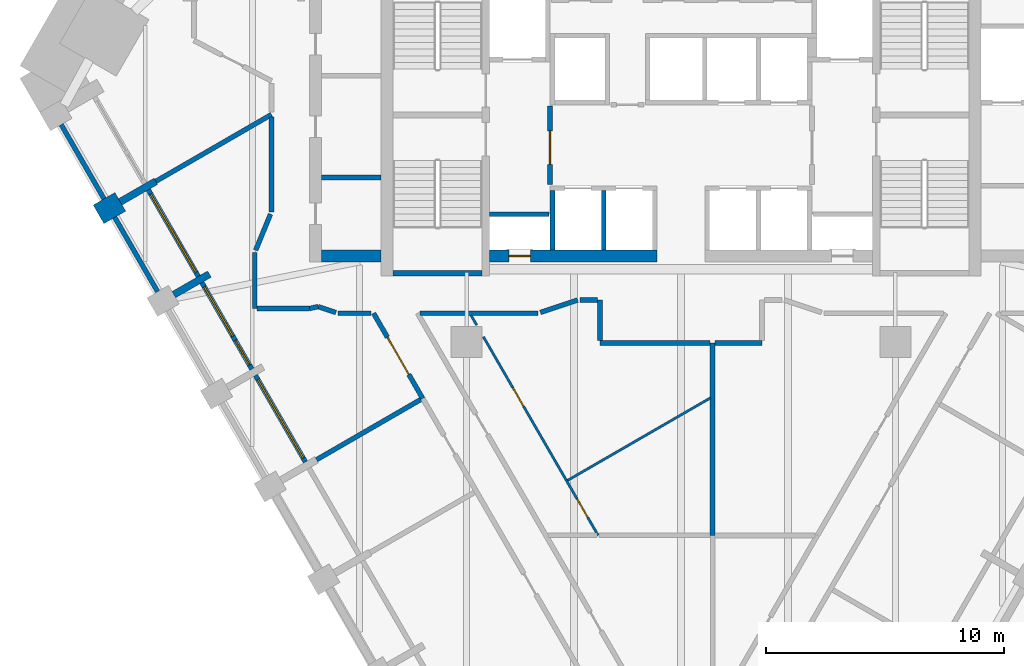
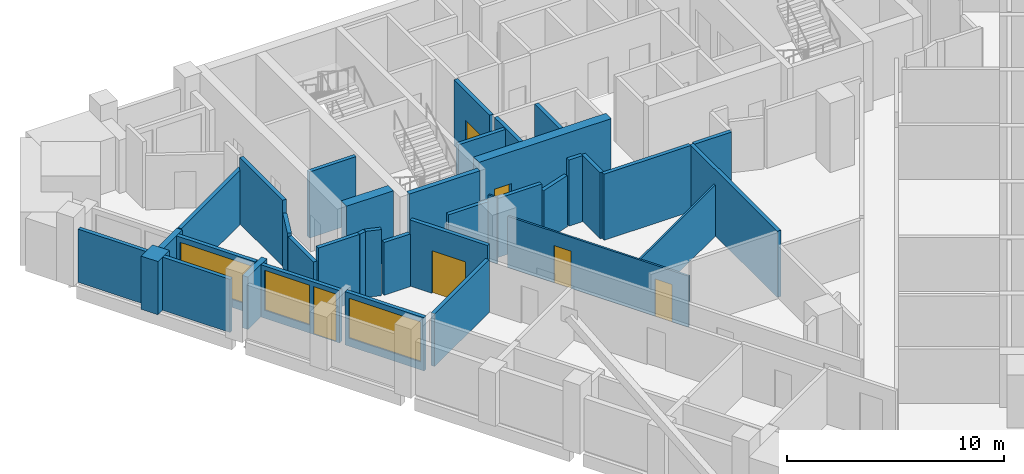
# One storey, part 4 of 10: 36 walls, 6 doors, 3 windows, 9 openings.
"""IFC4 building model written with IfcOpenShell, lengths in metres."""

from ifc_helpers import new_model, si_unit, direction, frame, frame_2d, origin, place, context, subcontext, project, spatial, polyline, rectangle, outline, extrude, material, layer, layer_set, type_object, element, fill, save


model = new_model("IFC4")

# Units and contexts
model_context = context("Model", 3, precision=1e-05, world=origin(), true_north=direction((0.0, 1.0)))
body_context = subcontext(model_context, "Body", "Model", "MODEL_VIEW")
ifc_project = project(units=[si_unit("LENGTHUNIT", "METRE"), si_unit("AREAUNIT", "SQUARE_METRE"), si_unit("VOLUMEUNIT", "CUBIC_METRE"), si_unit("PLANEANGLEUNIT", "RADIAN"), si_unit("MASSUNIT", "GRAM", prefix="KILO")], contexts=[model_context])

# Site, building, storey
site_placement = place(None, origin())
site = spatial("IfcSite", under=ifc_project, at=site_placement, CompositionType="ELEMENT")
building_placement = place(site_placement, origin())
building = spatial("IfcBuilding", under=site, at=building_placement, Name="Calabash Gate Tower", CompositionType="ELEMENT")
storey_placement = place(building_placement, frame((0.0, 0.0, 144.60009765625)))
storey = spatial("IfcBuildingStorey", under=building, at=storey_placement, Name="L33", CompositionType="ELEMENT", Elevation=144.60009765625)

# Walls
ifc_material_1 = material(Name="Terracotta brick masonry, exposed face", Category="masonry")
ifc_layer_1 = layer(ifc_material_1, 1.050048828125)
ifc_layer_set_1 = layer_set([ifc_layer_1], Name="Brick end wall 1050")
wall_type_1 = type_object("IfcWallType", Name="Brick end wall 1050", PredefinedType="SOLIDWALL", material=ifc_layer_set_1)
wall_1_placement = place(storey_placement, frame((-24.459716796875, 7.8505859375, 0.0), z_axis=(0.0, 0.0, 1.0), x_axis=(0.866088799389, 0.499890179513, 0.0)))
element("IfcWall", 1, at=wall_1_placement, inside=storey, type_object=wall_type_1, Name="Brick pier S09 SW0.1", PredefinedType="SOLIDWALL", context=body_context, shape_type="SweptSolid", body=[
    extrude(rectangle(XDim=1.050048828125, YDim=0.89990234375, at=frame_2d((0.52490234375, 0.0))), origin(), (0.0, 0.0, 1.0), 3.0),
])
ifc_material_2 = material(Name="Terracotta brick masonry, exposed face", Category="masonry")
ifc_layer_2 = layer(ifc_material_2, 0.300048828125)
ifc_layer_set_2 = layer_set([ifc_layer_2], Name="Brick loggia cheek wall 300")
wall_type_2 = type_object("IfcWallType", Name="Brick loggia cheek wall 300", PredefinedType="SOLIDWALL", material=ifc_layer_set_2)
wall_2_placement = place(storey_placement, frame((-23.55029296875, 8.37548828125, 0.0), z_axis=(0.0, 0.0, 1.0), x_axis=(0.866013532718, 0.500020560727, 0.0)))
element("IfcWall", 2, at=wall_2_placement, inside=storey, type_object=wall_type_2, Name="Loggia cheek S09 SW0.1", PredefinedType="SOLIDWALL", context=body_context, shape_type="SweptSolid", body=[
    extrude(rectangle(XDim=1.72509765625, YDim=0.300048828125, at=frame_2d((0.862548828125, 0.0))), origin(), (0.0, 0.0, 1.0), 3.0),
])
wall_3_placement = place(storey_placement, frame((-21.298828125, 4.479248046875, 0.0), z_axis=(0.0, 0.0, 1.0), x_axis=(0.866046395405, 0.499963639683, 0.0)))
element("IfcWall", 3, at=wall_3_placement, inside=storey, type_object=wall_type_2, Name="Loggia cheek S09 SW0.2", PredefinedType="SOLIDWALL", context=body_context, shape_type="SweptSolid", body=[
    extrude(rectangle(XDim=1.723388671875, YDim=0.300048828125, at=frame_2d((0.86181640625, 0.0))), origin(), (0.0, 0.0, 1.0), 2.949951171875),
])
ifc_material_3 = material(Name="Gypsum board on steel studs, mineral wool", Category="steel")
ifc_layer_3 = layer(ifc_material_3, 0.199951171875)
ifc_layer_set_3 = layer_set([ifc_layer_3], Name="Core partition 200 gypsum board")
wall_type_3 = type_object("IfcWallType", Name="Core partition 200 gypsum board", PredefinedType="PARTITIONING", material=ifc_layer_set_3)
wall_4_placement = place(storey_placement, frame((-15.10009765625, 9.402587890625, 0.0), z_axis=(0.0, 0.0, 1.0), x_axis=(1.0, 0.0, 0.0)))
element("IfcWall", 4, at=wall_4_placement, inside=storey, type_object=wall_type_3, Name="Core partition", PredefinedType="PARTITIONING", context=body_context, shape_type="SweptSolid", body=[
    extrude(rectangle(XDim=2.5, YDim=0.199951171875, at=frame_2d((1.25, 0.0))), origin(), (0.0, 0.0, 1.0), 3.72998046875),
])
ifc_material_4 = material(Name="Concrete C70/85", Category="concrete")
ifc_layer_4 = layer(ifc_material_4, 0.25)
ifc_layer_set_4 = layer_set([ifc_layer_4], Name="Core wall 250 Concrete C70/85")
wall_type_4 = type_object("IfcWallType", Name="Core wall 250 Concrete C70/85", PredefinedType="SHEAR", material=ifc_layer_set_4)
wall_5_placement = place(storey_placement, frame((-12.10009765625, 5.377685546875, 0.0), z_axis=(0.0, 0.0, 1.0), x_axis=(1.0, 0.0, 0.0)))
element("IfcWall", 5, at=wall_5_placement, inside=storey, type_object=wall_type_4, Name="Core wall Z3-SSW L33", PredefinedType="SHEAR", context=body_context, shape_type="SweptSolid", body=[
    extrude(rectangle(XDim=3.75, YDim=0.25, at=frame_2d((1.875, 0.0))), origin(), (0.0, 0.0, 1.0), 3.89990234375),
])

# Wall, opening, door
ifc_material_5 = material(Name="Concrete C70/85", Category="concrete")
ifc_layer_5 = layer(ifc_material_5, 0.5)
ifc_layer_set_5 = layer_set([ifc_layer_5], Name="Core wall 500 Concrete C70/85")
wall_type_5 = type_object("IfcWallType", Name="Core wall 500 Concrete C70/85", PredefinedType="SHEAR", material=ifc_layer_set_5)
wall_6_placement = place(storey_placement, frame((-8.050048828125, 6.1025390625, 0.0), z_axis=(0.0, 0.0, 1.0), x_axis=(1.0, 0.0, 0.0)))
wall_6 = element("IfcWall", 6, at=wall_6_placement, inside=storey, type_object=wall_type_5, Name="Core wall Z3-SA L33", PredefinedType="SHEAR", context=body_context, shape_type="SweptSolid", body=[
    extrude(rectangle(XDim=7.050048828125, YDim=0.5, at=frame_2d((3.52490234375, 0.0))), origin(), (0.0, 0.0, 1.0), 3.89990234375),
])
opening_1_placement = place(wall_6_placement, frame((0.824951171875, 0.0, 0.0)))
opening_1 = element("IfcOpeningElement", 7, at=opening_1_placement, cuts=wall_6, Name="Opening O1-015", PredefinedType="OPENING", context=body_context, shape_type="SweptSolid", body=[
    extrude(rectangle(XDim=0.89990234375, YDim=2.10009765625, at=frame_2d((0.449951171875, 1.050048828125))), frame((0.0, 0.260009765625, 0.0), z_axis=(0.0, -1.0, 0.0), x_axis=(1.0, 0.0, 0.0)), (0.0, 0.0, 1.0), 0.52001953125),
])
ifc_material_6 = material(Name="Steel fire door set with fire-resisting glazing", Category="steel")
door_type_1 = type_object("IfcDoorType", Name="Fire door D07 900x2100 FD90", OperationType="NOTDEFINED", PredefinedType="DOOR", material=ifc_material_6)
door_1_placement = place(opening_1_placement, origin())
door_1 = element("IfcDoor", 8, at=door_1_placement, inside=storey, type_object=door_type_1, Name="Electrical Riser W door", OperationType="SINGLE_SWING_LEFT", OverallHeight=2.10009765625, OverallWidth=0.89990234375, PredefinedType="DOOR", context=body_context, shape_type="SweptSolid", body=[
    extrude(rectangle(XDim=0.89990234375, YDim=2.10009765625, at=frame_2d((0.449951171875, 1.050048828125))), frame((0.0, 0.02490234375, 0.0), z_axis=(0.0, -1.0, 0.0), x_axis=(1.0, 0.0, 0.0)), (0.0, 0.0, 1.0), 0.050048828125),
])
fill(opening_1, door_1)

# Walls
wall_7_placement = place(storey_placement, frame((-12.60009765625, 6.1025390625, 0.0), z_axis=(0.0, 0.0, 1.0), x_axis=(-1.0, 0.0, 0.0)))
element("IfcWall", 9, at=wall_7_placement, inside=storey, type_object=wall_type_5, Name="Core wall Z3-SW L33", PredefinedType="SHEAR", context=body_context, shape_type="SweptSolid", body=[
    extrude(rectangle(XDim=2.5, YDim=0.5, at=frame_2d((1.25, 0.0))), origin(), (0.0, 0.0, 1.0), 3.89990234375),
])
ifc_material_7 = material(Name="Gypsum board on steel studs, mineral wool", Category="steel")
ifc_layer_6 = layer(ifc_material_7, 0.10009765625)
ifc_layer_set_6 = layer_set([ifc_layer_6], Name="Partition 100 gypsum board")
wall_type_6 = type_object("IfcWallType", Name="Partition 100 gypsum board", PredefinedType="PARTITIONING", material=ifc_layer_set_6)
wall_8_placement = place(storey_placement, frame((-4.759033203125, -3.318115234375, 0.0), z_axis=(0.0, 0.0, 1.0), x_axis=(0.866002450397, 0.500039754326, 0.0)))
element("IfcWall", 10, at=wall_8_placement, inside=storey, type_object=wall_type_6, Name="Partition", PredefinedType="PARTITIONING", context=body_context, shape_type="SweptSolid", body=[
    extrude(rectangle(XDim=6.9267578125, YDim=0.10009765625, at=frame_2d((3.46337890625, 0.0))), origin(), (0.0, 0.0, 1.0), 2.884033203125),
])

# Wall, openings, doors
wall_9_placement = place(storey_placement, frame((-8.300048828125, 2.711669921875, 0.0), z_axis=(0.0, 0.0, 1.0), x_axis=(0.500225649327, -0.865895085882, 0.0)))
wall_9 = element("IfcWall", 11, at=wall_9_placement, inside=storey, type_object=wall_type_6, Name="Partition", PredefinedType="PARTITIONING", context=body_context, shape_type="SweptSolid", body=[
    extrude(rectangle(XDim=9.630859375, YDim=0.10009765625, at=frame_2d((4.8154296875, 0.0))), origin(), (0.0, 0.0, 1.0), 2.884033203125),
])
opening_2_placement = place(wall_9_placement, frame((2.474609375, 0.0, 0.0)))
opening_2 = element("IfcOpeningElement", 12, at=opening_2_placement, cuts=wall_9, Name="Opening 33-35-018", PredefinedType="OPENING", context=body_context, shape_type="SweptSolid", body=[
    extrude(rectangle(XDim=0.89990234375, YDim=2.10009765625, at=frame_2d((0.449951171875, 1.050048828125))), frame((0.0, 0.06005859375, 0.0), z_axis=(0.0, -1.0, 0.0), x_axis=(1.0, 0.0, 0.0)), (0.0, 0.0, 1.0), 0.1201171875),
])
opening_3_placement = place(wall_9_placement, frame((7.860595703125, 0.0, 0.0)))
opening_3 = element("IfcOpeningElement", 13, at=opening_3_placement, cuts=wall_9, Name="Opening 33-35-019", PredefinedType="OPENING", context=body_context, shape_type="SweptSolid", body=[
    extrude(rectangle(XDim=0.89990234375, YDim=2.10009765625, at=frame_2d((0.449951171875, 1.050048828125))), frame((0.0, 0.06005859375, 0.0), z_axis=(0.0, -1.0, 0.0), x_axis=(1.0, 0.0, 0.0)), (0.0, 0.0, 1.0), 0.1201171875),
])
ifc_material_8 = material(Name="Painted timber door", Category="wood")
door_type_2 = type_object("IfcDoorType", Name="WD1 WC door 900x2100", OperationType="NOTDEFINED", PredefinedType="DOOR", material=ifc_material_8)
door_2_placement = place(opening_2_placement, origin())
door_2 = element("IfcDoor", 14, at=door_2_placement, inside=storey, type_object=door_type_2, Name="WC door", OperationType="SINGLE_SWING_LEFT", OverallHeight=2.10009765625, OverallWidth=0.89990234375, PredefinedType="DOOR", context=body_context, shape_type="SweptSolid", body=[
    extrude(rectangle(XDim=0.89990234375, YDim=2.10009765625, at=frame_2d((0.449951171875, 1.050048828125))), frame((0.0, 0.02490234375, 0.0), z_axis=(0.0, -1.0, 0.0), x_axis=(1.0, 0.0, 0.0)), (0.0, 0.0, 1.0), 0.050048828125),
])
fill(opening_2, door_2)
door_3_placement = place(opening_3_placement, origin())
door_3 = element("IfcDoor", 15, at=door_3_placement, inside=storey, type_object=door_type_2, Name="WC door", OperationType="SINGLE_SWING_RIGHT", OverallHeight=2.10009765625, OverallWidth=0.89990234375, PredefinedType="DOOR", context=body_context, shape_type="SweptSolid", body=[
    extrude(rectangle(XDim=0.89990234375, YDim=2.10009765625, at=frame_2d((0.449951171875, 1.050048828125))), frame((0.0, 0.02490234375, 0.0), z_axis=(0.0, -1.0, 0.0), x_axis=(1.0, 0.0, 0.0)), (0.0, 0.0, 1.0), 0.050048828125),
])
fill(opening_3, door_3)

# Walls
wall_10_placement = place(storey_placement, frame((-8.81884765625, 3.613037109375, 0.0), z_axis=(0.0, 0.0, 1.0), x_axis=(0.497353240991, -0.867548127585, 0.0)))
element("IfcWall", 16, at=wall_10_placement, inside=storey, type_object=wall_type_6, Name="Partition", PredefinedType="PARTITIONING", context=body_context, shape_type="SweptSolid", body=[
    extrude(rectangle(XDim=0.47607421875, YDim=0.10009765625, at=frame_2d((0.238037109375, 0.0))), origin(), (0.0, 0.0, 1.0), 3.72998046875),
])
ifc_material_9 = material(Name="Gypsum board on steel studs, mineral wool", Category="steel")
ifc_layer_7 = layer(ifc_material_9, 0.199951171875)
ifc_layer_set_7 = layer_set([ifc_layer_7], Name="Partition 200 gypsum board EI 60")
wall_type_7 = type_object("IfcWallType", Name="Partition 200 gypsum board EI 60", PredefinedType="PARTITIONING", material=ifc_layer_set_7)
wall_11_placement = place(storey_placement, frame((1.324462890625, -5.627197265625, 0.0), z_axis=(0.0, 0.0, 1.0), x_axis=(0.0, 1.0, 0.0)))
element("IfcWall", 17, at=wall_11_placement, inside=storey, type_object=wall_type_7, Name="Partition", PredefinedType="PARTITIONING", context=body_context, shape_type="SweptSolid", body=[
    extrude(rectangle(XDim=8.077880859375, YDim=0.199951171875, at=frame_2d((4.0390625, 0.0))), origin(), (0.0, 0.0, 1.0), 3.72998046875),
])
wall_12_placement = place(storey_placement, frame((-15.306640625, -2.452880859375, 0.0), z_axis=(0.0, 0.0, 1.0), x_axis=(0.865894858421, 0.500226043064, 0.0)))
element("IfcWall", 18, at=wall_12_placement, inside=storey, type_object=wall_type_7, Name="Partition", PredefinedType="PARTITIONING", context=body_context, shape_type="SweptSolid", body=[
    extrude(rectangle(XDim=5.049560546875, YDim=0.199951171875, at=frame_2d((2.52490234375, 0.0))), origin(), (0.0, 0.0, 1.0), 2.973388671875),
])

# Wall, opening, door
wall_13_placement = place(storey_placement, frame((-12.91259765625, 3.699462890625, 0.0), z_axis=(0.0, 0.0, 1.0), x_axis=(0.499679817836, -0.866210182143, 0.0)))
wall_13 = element("IfcWall", 19, at=wall_13_placement, inside=storey, type_object=wall_type_7, Name="Partition", PredefinedType="PARTITIONING", context=body_context, shape_type="SweptSolid", body=[
    extrude(rectangle(XDim=4.131103515625, YDim=0.199951171875, at=frame_2d((2.0654296875, 0.0))), origin(), (0.0, 0.0, 1.0), 3.72998046875),
])
opening_4_placement = place(wall_13_placement, frame((1.16552734375, 0.0, 0.0)))
opening_4 = element("IfcOpeningElement", 20, at=opening_4_placement, cuts=wall_13, Name="Opening 33-35-012", PredefinedType="OPENING", context=body_context, shape_type="SweptSolid", body=[
    extrude(rectangle(XDim=1.800048828125, YDim=2.39990234375, at=frame_2d((0.89990234375, 1.199951171875))), frame((0.0, 0.10986328125, 0.0), z_axis=(0.0, -1.0, 0.0), x_axis=(1.0, 0.0, 0.0)), (0.0, 0.0, 1.0), 0.219970703125),
])
ifc_material_10 = material(Name="Steel fire door set with fire-resisting glazing", Category="steel")
door_type_3 = type_object("IfcDoorType", Name="OD5 Open office double door 1800x2400", OperationType="NOTDEFINED", PredefinedType="DOOR", material=ifc_material_10)
door_4_placement = place(opening_4_placement, origin())
door_4 = element("IfcDoor", 21, at=door_4_placement, inside=storey, type_object=door_type_3, Name="Open office double door", OperationType="DOUBLE_DOOR_SINGLE_SWING", OverallHeight=2.39990234375, OverallWidth=1.800048828125, PredefinedType="DOOR", context=body_context, shape_type="SweptSolid", body=[
    extrude(rectangle(XDim=1.800048828125, YDim=2.39990234375, at=frame_2d((0.89990234375, 1.199951171875))), frame((0.0, 0.02490234375, 0.0), z_axis=(0.0, -1.0, 0.0), x_axis=(1.0, 0.0, 0.0)), (0.0, 0.0, 1.0), 0.050048828125),
])
fill(opening_4, door_4)

# Walls
wall_14_placement = place(storey_placement, frame((-3.400146484375, 2.452392578125, 0.0), z_axis=(0.0, 0.0, 1.0), x_axis=(0.999999931717, -0.000369549125, 0.0)))
element("IfcWall", 22, at=wall_14_placement, inside=storey, type_object=wall_type_7, Name="Partition", PredefinedType="PARTITIONING", context=body_context, shape_type="SweptSolid", body=[
    extrude(rectangle(XDim=4.62451171875, YDim=0.199951171875, at=frame_2d((2.312255859375, 0.0))), origin(), (0.0, 0.0, 1.0), 3.72998046875),
])
wall_15_placement = place(storey_placement, frame((1.426513671875, 2.45068359375, 0.0), z_axis=(0.0, 0.0, 1.0), x_axis=(0.999999625102, 0.000865907642, 0.0)))
element("IfcWall", 23, at=wall_15_placement, inside=storey, type_object=wall_type_7, Name="Partition", PredefinedType="PARTITIONING", context=body_context, shape_type="SweptSolid", body=[
    extrude(rectangle(XDim=1.9736328125, YDim=0.199951171875, at=frame_2d((0.98681640625, 0.0))), origin(), (0.0, 0.0, 1.0), 3.72998046875),
])
wall_16_placement = place(storey_placement, frame((-3.402099609375, 4.25048828125, 0.0), z_axis=(0.0, 0.0, 1.0), x_axis=(0.001150250857, -0.999999338461, 0.0)))
element("IfcWall", 24, at=wall_16_placement, inside=storey, type_object=wall_type_7, Name="Partition", PredefinedType="PARTITIONING", context=body_context, shape_type="SweptSolid", body=[
    extrude(rectangle(XDim=1.697998046875, YDim=0.199951171875, at=frame_2d((0.84912109375, 0.0))), origin(), (0.0, 0.0, 1.0), 3.72998046875),
])
wall_17_placement = place(storey_placement, frame((-14.400146484375, 3.699462890625, 0.0), z_axis=(0.0, 0.0, 1.0), x_axis=(1.0, 0.0, 0.0)))
element("IfcWall", 25, at=wall_17_placement, inside=storey, type_object=wall_type_7, Name="Partition", PredefinedType="PARTITIONING", context=body_context, shape_type="SweptSolid", body=[
    extrude(rectangle(XDim=1.387451171875, YDim=0.199951171875, at=frame_2d((0.69384765625, 0.0))), origin(), (0.0, 0.0, 1.0), 2.973388671875),
])
wall_18_placement = place(storey_placement, frame((-10.964599609375, 3.69970703125, 0.0), z_axis=(0.0, 0.0, 1.0), x_axis=(1.0, 0.0, 0.0)))
element("IfcWall", 26, at=wall_18_placement, inside=storey, type_object=wall_type_7, Name="Partition", PredefinedType="PARTITIONING", context=body_context, shape_type="SweptSolid", body=[
    extrude(rectangle(XDim=4.964599609375, YDim=0.199951171875, at=frame_2d((2.482421875, 0.0))), origin(), (0.0, 0.0, 1.0), 3.33154296875),
])
wall_19_placement = place(storey_placement, frame((-15.233642578125, 3.977294921875, 0.0), z_axis=(0.0, 0.0, 1.0), x_axis=(0.948745985677, -0.316039640966, 0.0)))
element("IfcWall", 27, at=wall_19_placement, inside=storey, type_object=wall_type_7, Name="Partition", PredefinedType="PARTITIONING", context=body_context, shape_type="SweptSolid", body=[
    extrude(rectangle(XDim=0.778564453125, YDim=0.199951171875, at=frame_2d((0.38916015625, 0.0))), origin(), (0.0, 0.0, 1.0), 3.72998046875),
])
wall_20_placement = place(storey_placement, frame((-17.900390625, 6.252685546875, 0.0), z_axis=(0.0, 0.0, 1.0), x_axis=(0.0, -1.0, 0.0)))
element("IfcWall", 28, at=wall_20_placement, inside=storey, type_object=wall_type_7, Name="Partition", PredefinedType="PARTITIONING", context=body_context, shape_type="SweptSolid", body=[
    extrude(rectangle(XDim=2.35302734375, YDim=0.199951171875, at=frame_2d((1.176513671875, 0.0))), origin(), (0.0, 0.0, 1.0), 2.949951171875),
])
wall_21_placement = place(storey_placement, frame((-17.80029296875, 3.899658203125, 0.0), z_axis=(0.0, 0.0, 1.0), x_axis=(0.999999993844, -0.00011096316, 0.0)))
element("IfcWall", 29, at=wall_21_placement, inside=storey, type_object=wall_type_7, Name="Partition", PredefinedType="PARTITIONING", context=body_context, shape_type="SweptSolid", body=[
    extrude(rectangle(XDim=2.2001953125, YDim=0.199951171875, at=frame_2d((1.10009765625, 0.0))), origin(), (0.0, 0.0, 1.0), 3.72998046875),
])
wall_22_placement = place(storey_placement, frame((-15.60009765625, 3.8994140625, 0.0), z_axis=(0.0, 0.0, 1.0), x_axis=(0.978153882022, 0.207882137485, 0.0)))
element("IfcWall", 30, at=wall_22_placement, inside=storey, type_object=wall_type_7, Name="Partition", PredefinedType="PARTITIONING", context=body_context, shape_type="SweptSolid", body=[
    extrude(rectangle(XDim=0.374755859375, YDim=0.199951171875, at=frame_2d((0.1875, 0.0))), origin(), (0.0, 0.0, 1.0), 3.72998046875),
])
wall_23_placement = place(storey_placement, frame((-5.905029296875, 3.7314453125, 0.0), z_axis=(0.0, 0.0, 1.0), x_axis=(0.948668476379, 0.316272227557, 0.0)))
element("IfcWall", 31, at=wall_23_placement, inside=storey, type_object=wall_type_7, Name="Partition", PredefinedType="PARTITIONING", context=body_context, shape_type="SweptSolid", body=[
    extrude(rectangle(XDim=1.647216796875, YDim=0.199951171875, at=frame_2d((0.82373046875, 0.0))), origin(), (0.0, 0.0, 1.0), 2.884033203125),
])
wall_24_placement = place(storey_placement, frame((-4.2421875, 4.252197265625, 0.0), z_axis=(0.0, 0.0, 1.0), x_axis=(0.999998041999, -0.001978887946, 0.0)))
element("IfcWall", 32, at=wall_24_placement, inside=storey, type_object=wall_type_7, Name="Partition", PredefinedType="PARTITIONING", context=body_context, shape_type="SweptSolid", body=[
    extrude(rectangle(XDim=0.740234375, YDim=0.199951171875, at=frame_2d((0.3701171875, 0.0))), origin(), (0.0, 0.0, 1.0), 3.72998046875),
])
wall_25_placement = place(storey_placement, frame((-17.8623046875, 6.34521484375, 0.0), z_axis=(0.0, 0.0, 1.0), x_axis=(0.380749805254, 0.924678098475, 0.0)))
element("IfcWall", 33, at=wall_25_placement, inside=storey, type_object=wall_type_7, Name="Partition", PredefinedType="PARTITIONING", context=body_context, shape_type="SweptSolid", body=[
    extrude(rectangle(XDim=1.63818359375, YDim=0.199951171875, at=frame_2d((0.819091796875, 0.0))), origin(), (0.0, 0.0, 1.0), 3.0517578125),
])
wall_26_placement = place(storey_placement, frame((-17.201904296875, 11.940673828125, 0.0), z_axis=(0.0, 0.0, 1.0), x_axis=(0.000367309433, -0.999999932542, 0.0)))
element("IfcWall", 34, at=wall_26_placement, inside=storey, type_object=wall_type_7, Name="Partition", PredefinedType="PARTITIONING", context=body_context, shape_type="SweptSolid", body=[
    extrude(rectangle(XDim=3.988037109375, YDim=0.199951171875, at=frame_2d((1.994140625, 0.0))), origin(), (0.0, 0.0, 1.0), 3.72998046875),
])
wall_27_placement = place(storey_placement, frame((-22.056396484375, 9.238037109375, 0.0), z_axis=(0.0, 0.0, 1.0), x_axis=(0.865883930219, 0.500244959384, 0.0)))
element("IfcWall", 35, at=wall_27_placement, inside=storey, type_object=wall_type_7, Name="Partition", PredefinedType="PARTITIONING", context=body_context, shape_type="SweptSolid", body=[
    extrude(rectangle(XDim=5.608154296875, YDim=0.199951171875, at=frame_2d((2.80419921875, 0.0))), origin(), (0.0, 0.0, 1.0), 3.0517578125),
])
ifc_material_11 = material(Name="Concrete C40/50", Category="concrete")
ifc_layer_8 = layer(ifc_material_11, 0.199951171875)
ifc_layer_set_8 = layer_set([ifc_layer_8], Name="Shaft wall 200 Concrete C40/50")
wall_type_8 = type_object("IfcWallType", Name="Shaft wall 200 Concrete C40/50", PredefinedType="SOLIDWALL", material=ifc_layer_set_8)
for number, where, z_axis, x_axis, name in (
    (36, (-5.39990234375, 6.3525390625, 0.0), (0.0, 0.0, 1.0), (0.0, 1.0, 0.0), "Shaft wall"),
    (37, (-3.25, 6.3525390625, 0.0), (0.0, 0.0, 1.0), (0.0, 1.0, 0.0), "Shaft wall"),
    (38, (-8.050048828125, 7.8525390625, 0.0), (0.0, 0.0, 1.0), (1.0, 0.0, 0.0), "Shaft wall"),
):
    element("IfcWall", number, at=place(storey_placement, frame(where, z_axis=z_axis, x_axis=x_axis)), inside=storey, type_object=wall_type_8, Name=name, PredefinedType="SOLIDWALL", context=body_context, shape_type="SweptSolid", body=[
        extrude(rectangle(XDim=2.5, YDim=0.199951171875, at=frame_2d((1.25, 0.0))), origin(), (0.0, 0.0, 1.0), 3.72998046875),
    ])

# Wall, opening, door
wall_28_placement = place(storey_placement, frame((-5.5, 9.1025390625, 0.0), z_axis=(0.0, 0.0, 1.0), x_axis=(0.0, 1.0, 0.0)))
wall_28 = element("IfcWall", 39, at=wall_28_placement, inside=storey, type_object=wall_type_8, Name="Shaft wall", PredefinedType="SOLIDWALL", context=body_context, shape_type="SweptSolid", body=[
    extrude(rectangle(XDim=3.300048828125, YDim=0.199951171875, at=frame_2d((1.64990234375, 0.0))), origin(), (0.0, 0.0, 1.0), 3.72998046875),
])
opening_5_placement = place(wall_28_placement, frame((0.85009765625, 0.0, 0.0)))
opening_5 = element("IfcOpeningElement", 40, at=opening_5_placement, cuts=wall_28, Name="Opening O1-009", PredefinedType="OPENING", context=body_context, shape_type="SweptSolid", body=[
    extrude(rectangle(XDim=1.39990234375, YDim=2.10009765625, at=frame_2d((0.699951171875, 1.050048828125))), frame((0.0, 0.10986328125, 0.0), z_axis=(0.0, -1.0, 0.0), x_axis=(1.0, 0.0, 0.0)), (0.0, 0.0, 1.0), 0.219970703125),
])
ifc_material_12 = material(Name="Steel fire door set with fire-resisting glazing", Category="steel")
door_type_4 = type_object("IfcDoorType", Name="Fire door D05 1400x2100 FD90", OperationType="NOTDEFINED", PredefinedType="DOOR", material=ifc_material_12)
door_5_placement = place(opening_5_placement, origin())
door_5 = element("IfcDoor", 41, at=door_5_placement, inside=storey, type_object=door_type_4, Name="Firefighting Lobby W door", OperationType="SINGLE_SWING_RIGHT", OverallHeight=2.10009765625, OverallWidth=1.39990234375, PredefinedType="DOOR", context=body_context, shape_type="SweptSolid", body=[
    extrude(rectangle(XDim=1.39990234375, YDim=2.10009765625, at=frame_2d((0.699951171875, 1.050048828125))), frame((0.0, 0.02490234375, 0.0), z_axis=(0.0, -1.0, 0.0), x_axis=(1.0, 0.0, 0.0)), (0.0, 0.0, 1.0), 0.050048828125),
])
fill(opening_5, door_5)

# Walls
ifc_material_13 = material(Name="Terracotta brick masonry, perforated", Category="masonry")
ifc_layer_9 = layer(ifc_material_13, 0.199951171875)
ifc_layer_set_9 = layer_set([ifc_layer_9], Name="Terracotta jaali screen A")
wall_type_9 = type_object("IfcWallType", Name="Terracotta jaali screen A", PredefinedType="SOLIDWALL", material=ifc_layer_set_9)
wall_29_placement = place(storey_placement, origin())
element("IfcWall", 42, at=wall_29_placement, inside=storey, type_object=wall_type_9, Name="SCREEN A S09 SW0.1", PredefinedType="SOLIDWALL", context=body_context, shape_type="SweptSolid", body=[
    extrude(outline(polyline([(-24.143310546875, 8.552734375), (-25.94287109375, 11.66943359375), (-26.115966796875, 11.5693359375), (-24.316650390625, 8.45263671875), (-24.143310546875, 8.552734375)])), origin(), (0.0, 0.0, 1.0), 3.0),
])
wall_30_placement = place(storey_placement, frame((-23.780029296875, 7.72314453125, 0.0), z_axis=(0.0, 0.0, 1.0), x_axis=(0.500012057535, -0.866018442252, 0.0)))
element("IfcWall", 43, at=wall_30_placement, inside=storey, type_object=wall_type_9, Name="SCREEN A S09 SW0.2", PredefinedType="SOLIDWALL", context=body_context, shape_type="SweptSolid", body=[
    extrude(rectangle(XDim=3.60009765625, YDim=0.199951171875, at=frame_2d((1.800048828125, 0.0))), origin(), (0.0, 0.0, 1.0), 3.0),
])

# Wall, opening, window
ifc_material_14 = material(Name="Aluminium framed window wall with insulated spandrel", Category="aluminium")
ifc_layer_10 = layer(ifc_material_14, 0.199951171875)
ifc_layer_set_10 = layer_set([ifc_layer_10], Name="Window wall 200")
wall_type_10 = type_object("IfcWallType", Name="Window wall 200", PredefinedType="ELEMENTEDWALL", material=ifc_layer_set_10)
wall_31_placement = place(storey_placement, frame((-22.37109375, 8.883056640625, 0.0), z_axis=(0.0, 0.0, 1.0), x_axis=(0.49998411664, -0.866034573852, 0.0)))
wall_31 = element("IfcWall", 44, at=wall_31_placement, inside=storey, type_object=wall_type_10, Name="Window wall S09 SW0.2", PredefinedType="ELEMENTEDWALL", context=body_context, shape_type="SweptSolid", body=[
    extrude(rectangle(XDim=4.199951171875, YDim=0.199951171875, at=frame_2d((2.10009765625, 0.0))), origin(), (0.0, 0.0, 1.0), 3.0),
])
opening_6_placement = place(wall_31_placement, frame((0.199951171875, 0.0, 0.449951171875)))
opening_6 = element("IfcOpeningElement", 45, at=opening_6_placement, cuts=wall_31, Name="Opening OW2", PredefinedType="OPENING", context=body_context, shape_type="SweptSolid", body=[
    extrude(rectangle(XDim=3.800048828125, YDim=2.25, at=frame_2d((1.89990234375, 1.125))), frame((0.0, 0.10986328125, 0.0), z_axis=(0.0, -1.0, 0.0), x_axis=(1.0, 0.0, 0.0)), (0.0, 0.0, 1.0), 0.219970703125),
])
ifc_material_15 = material(Name="Anodised aluminium frame, bronze finish, impact-rated laminated clear glazing", Category="aluminium")
window_type_1 = type_object("IfcWindowType", Name="Window OW2 3800x2250", PartitioningType="TRIPLE_PANEL_VERTICAL", PredefinedType="WINDOW", material=ifc_material_15)
window_1_placement = place(opening_6_placement, origin())
window_1 = element("IfcWindow", 46, at=window_1_placement, inside=storey, type_object=window_type_1, Name="Window OW2 S09 SW0.2", OverallHeight=2.25, OverallWidth=3.800048828125, PartitioningType="SINGLE_PANEL", PredefinedType="WINDOW", context=body_context, shape_type="SweptSolid", body=[
    extrude(rectangle(XDim=3.800048828125, YDim=2.25, at=frame_2d((1.89990234375, 1.125))), frame((0.0, 0.030029296875, 0.0), z_axis=(0.0, -1.0, 0.0), x_axis=(1.0, 0.0, 0.0)), (0.0, 0.0, 1.0), 0.06005859375),
])
fill(opening_6, window_1)

# Wall, openings, door, window
wall_32_placement = place(storey_placement, frame((-20.12109375, 4.98583984375, 0.0), z_axis=(0.0, 0.0, 1.0), x_axis=(0.49998411664, -0.866034573852, 0.0)))
wall_32 = element("IfcWall", 47, at=wall_32_placement, inside=storey, type_object=wall_type_10, Name="Window wall S09 SW0.3", PredefinedType="ELEMENTEDWALL", context=body_context, shape_type="SweptSolid", body=[
    extrude(rectangle(XDim=4.199951171875, YDim=0.199951171875, at=frame_2d((2.10009765625, 0.0))), origin(), (0.0, 0.0, 1.0), 2.949951171875),
])
opening_7_placement = place(wall_32_placement, frame((0.199951171875, 0.0, 0.449951171875)))
opening_7 = element("IfcOpeningElement", 48, at=opening_7_placement, cuts=wall_32, Name="Opening OW1", PredefinedType="OPENING", context=body_context, shape_type="SweptSolid", body=[
    extrude(rectangle(XDim=2.39990234375, YDim=2.25, at=frame_2d((1.199951171875, 1.125))), frame((0.0, 0.10986328125, 0.0), z_axis=(0.0, -1.0, 0.0), x_axis=(1.0, 0.0, 0.0)), (0.0, 0.0, 1.0), 0.219970703125),
])
opening_8_placement = place(wall_32_placement, frame((2.800048828125, 0.0, 0.0)))
opening_8 = element("IfcOpeningElement", 49, at=opening_8_placement, cuts=wall_32, Name="Opening O1-025", PredefinedType="OPENING", context=body_context, shape_type="SweptSolid", body=[
    extrude(rectangle(XDim=1.199951171875, YDim=2.699951171875, at=frame_2d((0.60009765625, 1.35009765625))), frame((0.0, 0.10986328125, 0.0), z_axis=(0.0, -1.0, 0.0), x_axis=(1.0, 0.0, 0.0)), (0.0, 0.0, 1.0), 0.219970703125),
])
ifc_material_16 = material(Name="Anodised aluminium frame, bronze finish, impact-rated laminated clear glazing", Category="aluminium")
door_type_5 = type_object("IfcDoorType", Name="Loggia door DO1 1200x2700", OperationType="SLIDING_TO_LEFT", PredefinedType="DOOR", material=ifc_material_16)
door_6_placement = place(opening_8_placement, origin())
door_6 = element("IfcDoor", 50, at=door_6_placement, inside=storey, type_object=door_type_5, Name="Loggia door S09 SW0.3", OperationType="SINGLE_SWING_LEFT", OverallHeight=2.699951171875, OverallWidth=1.199951171875, PredefinedType="DOOR", context=body_context, shape_type="SweptSolid", body=[
    extrude(rectangle(XDim=1.199951171875, YDim=2.699951171875, at=frame_2d((0.60009765625, 1.35009765625))), frame((0.0, 0.02490234375, 0.0), z_axis=(0.0, -1.0, 0.0), x_axis=(1.0, 0.0, 0.0)), (0.0, 0.0, 1.0), 0.050048828125),
])
fill(opening_8, door_6)
ifc_material_17 = material(Name="Anodised aluminium frame, bronze finish, impact-rated laminated clear glazing", Category="aluminium")
window_type_2 = type_object("IfcWindowType", Name="Window OW1 2400x2250", PartitioningType="DOUBLE_PANEL_VERTICAL", PredefinedType="WINDOW", material=ifc_material_17)
window_2_placement = place(opening_7_placement, origin())
window_2 = element("IfcWindow", 51, at=window_2_placement, inside=storey, type_object=window_type_2, Name="Window OW1 S09 SW0.3", OverallHeight=2.25, OverallWidth=2.39990234375, PartitioningType="SINGLE_PANEL", PredefinedType="WINDOW", context=body_context, shape_type="SweptSolid", body=[
    extrude(rectangle(XDim=2.39990234375, YDim=2.25, at=frame_2d((1.199951171875, 1.125))), frame((0.0, 0.030029296875, 0.0), z_axis=(0.0, -1.0, 0.0), x_axis=(1.0, 0.0, 0.0)), (0.0, 0.0, 1.0), 0.06005859375),
])
fill(opening_7, window_2)

# Wall, opening, window
wall_33_placement = place(storey_placement, frame((-17.87109375, 1.0888671875, 0.0), z_axis=(0.0, 0.0, 1.0), x_axis=(0.499958946799, -0.866049104564, 0.0)))
wall_33 = element("IfcWall", 52, at=wall_33_placement, inside=storey, type_object=wall_type_10, Name="Window wall S09 SW0.4", PredefinedType="ELEMENTEDWALL", context=body_context, shape_type="SweptSolid", body=[
    extrude(rectangle(XDim=4.199951171875, YDim=0.199951171875, at=frame_2d((2.10009765625, 0.0))), origin(), (0.0, 0.0, 1.0), 3.0),
])
opening_9_placement = place(wall_33_placement, frame((0.199951171875, 0.0, 0.449951171875)))
opening_9 = element("IfcOpeningElement", 53, at=opening_9_placement, cuts=wall_33, Name="Opening OW2", PredefinedType="OPENING", context=body_context, shape_type="SweptSolid", body=[
    extrude(rectangle(XDim=3.800048828125, YDim=2.25, at=frame_2d((1.89990234375, 1.125))), frame((0.0, 0.10986328125, 0.0), z_axis=(0.0, -1.0, 0.0), x_axis=(1.0, 0.0, 0.0)), (0.0, 0.0, 1.0), 0.219970703125),
])
window_3_placement = place(opening_9_placement, origin())
window_3 = element("IfcWindow", 54, at=window_3_placement, inside=storey, type_object=window_type_1, Name="Window OW2 S09 SW0.4", OverallHeight=2.25, OverallWidth=3.800048828125, PartitioningType="SINGLE_PANEL", PredefinedType="WINDOW", context=body_context, shape_type="SweptSolid", body=[
    extrude(rectangle(XDim=3.800048828125, YDim=2.25, at=frame_2d((1.89990234375, 1.125))), frame((0.0, 0.030029296875, 0.0), z_axis=(0.0, -1.0, 0.0), x_axis=(1.0, 0.0, 0.0)), (0.0, 0.0, 1.0), 0.06005859375),
])
fill(opening_9, window_3)

save(model, "model.ifc")
